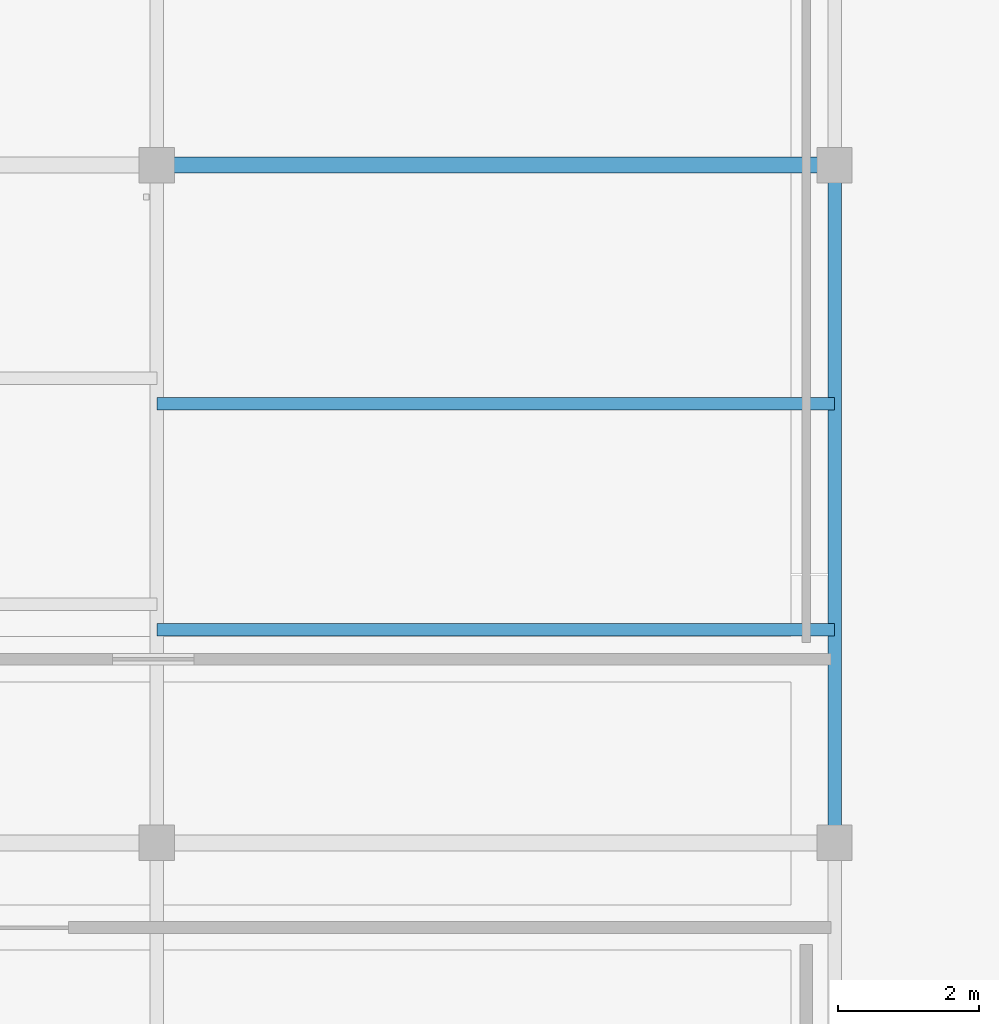
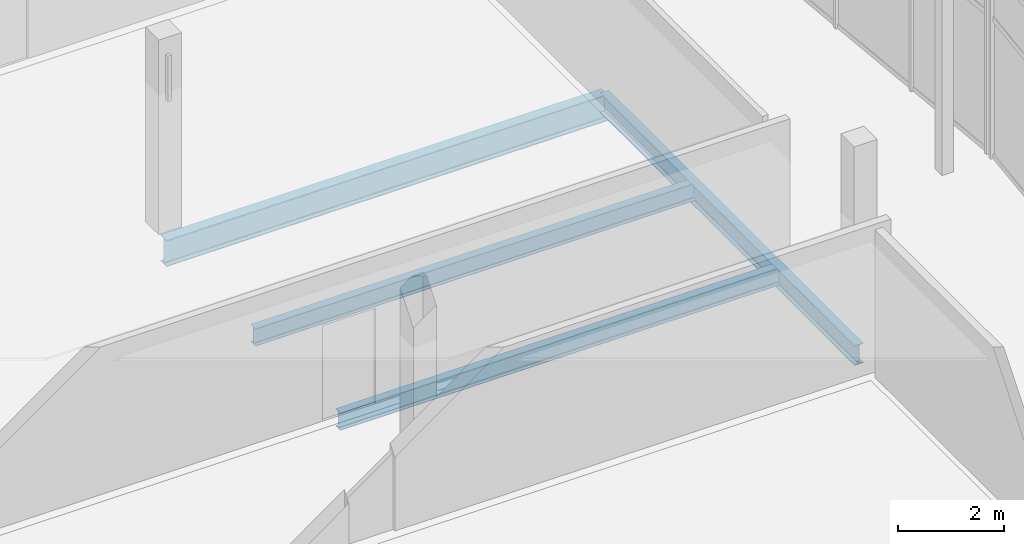
# One storey, part 66 of 114: 4 beams.
"""IFC4 building model written with IfcOpenShell, lengths in metres."""

from ifc_helpers import new_model, si_unit, direction, frame, origin, origin_2d, place, context, subcontext, project, spatial, i_section, extrude, material, material_profile, profile_set, type_object, element, save


model = new_model("IFC4")

# Units and contexts
model_context = context("Model", 3, precision=1e-05, world=origin(), true_north=direction((0.0, 1.0)))
body_context = subcontext(model_context, "Body", "Model", "MODEL_VIEW")
ifc_project = project(units=[si_unit("LENGTHUNIT", "METRE"), si_unit("AREAUNIT", "SQUARE_METRE"), si_unit("VOLUMEUNIT", "CUBIC_METRE"), si_unit("PLANEANGLEUNIT", "RADIAN"), si_unit("MASSUNIT", "GRAM", prefix="KILO")], contexts=[model_context])

# Site, building, storey
site_placement = place(None, origin())
site = spatial("IfcSite", under=ifc_project, at=site_placement, CompositionType="ELEMENT")
building_placement = place(site_placement, origin())
building = spatial("IfcBuilding", under=site, at=building_placement, Name="Chalmorin Arch Market", CompositionType="ELEMENT")
storey_placement = place(building_placement, frame((0.0, 0.0, 9.60009765625)))
storey = spatial("IfcBuildingStorey", under=building, at=storey_placement, Name="L02", CompositionType="ELEMENT", Elevation=9.60009765625)

# Beams
ifc_material = material(Name="Steel A992 Grade 50", Category="steel")
ifc_material_profile_1 = material_profile(ifc_material, i_section(OverallWidth=0.19091796875, OverallDepth=0.45703125, WebThickness=0.009033203125, FlangeThickness=0.014404296875, FilletRadius=0.02001953125, at=origin_2d()), Name="W18X50")
ifc_profile_set_1 = profile_set([ifc_material_profile_1], Name="Steel A992 Grade 50")
beam_type_1 = type_object("IfcBeamType", Name="PerimeterSpandrelBeam-W18X50", PredefinedType="SPANDREL", material=ifc_profile_set_1)
beam_1_placement = place(storey_placement, frame((115.199951171875, 91.199951171875, -0.510498046875), z_axis=(0.0, 1.0, 0.0), x_axis=(-1.0, 0.0, 0.0)))
element("IfcBeam", 1, at=beam_1_placement, inside=storey, type_object=beam_type_1, Name="SP-W18-1296", PredefinedType="SPANDREL", context=body_context, shape_type="SweptSolid", body=[
    extrude(i_section(OverallWidth=0.19091796875, OverallDepth=0.45703125, WebThickness=0.009033203125, FlangeThickness=0.014404296875, FilletRadius=0.02001953125, at=origin_2d()), origin(), (0.0, 0.0, 1.0), 9.60009765625),
])
ifc_material_profile_2 = material_profile(ifc_material, i_section(OverallWidth=0.22802734375, OverallDepth=0.60791015625, WebThickness=0.01123046875, FlangeThickness=0.017333984375, FilletRadius=0.02392578125, at=origin_2d()), Name="W24X76")
ifc_profile_set_2 = profile_set([ifc_material_profile_2], Name="Steel A992 Grade 50")
beam_type_2 = type_object("IfcBeamType", Name="PrimarySteelGirder-W24X76", PredefinedType="BEAM", material=ifc_profile_set_2)
beam_2_placement = place(storey_placement, frame((105.60009765625, 100.800048828125, -0.586181640625), z_axis=(1.0, 0.0, 0.0), x_axis=(0.0, 1.0, 0.0)))
element("IfcBeam", 2, at=beam_2_placement, inside=storey, type_object=beam_type_2, Name="BG-W24B-1295", PredefinedType="BEAM", context=body_context, shape_type="SweptSolid", body=[
    extrude(i_section(OverallWidth=0.22802734375, OverallDepth=0.60791015625, WebThickness=0.01123046875, FlangeThickness=0.017333984375, FilletRadius=0.02392578125, at=origin_2d()), origin(), (0.0, 0.0, 1.0), 9.599853515625),
])
ifc_material_profile_3 = material_profile(ifc_material, i_section(OverallWidth=0.177978515625, OverallDepth=0.403076171875, WebThickness=0.007568359375, FlangeThickness=0.010986328125, FilletRadius=0.01806640625, at=origin_2d()), Name="W16X36")
ifc_profile_set_3 = profile_set([ifc_material_profile_3], Name="Steel A992 Grade 50")
beam_type_3 = type_object("IfcBeamType", Name="SecondaryFloorJoist-W16X36", PredefinedType="JOIST", material=ifc_profile_set_3)
for number, where, z_axis, x_axis, name in (
    (3, (105.60009765625, 94.219970703125, -0.483642578125), (1.0, 0.0, 0.0), (0.0, 1.0, 0.0), "BJ-W16B-1357"),
    (4, (105.60009765625, 97.419921875, -0.483642578125), (1.0, 0.0, 0.0), (0.0, 1.0, 0.0), "BJ-W16B-1358"),
):
    element("IfcBeam", number, at=place(storey_placement, frame(where, z_axis=z_axis, x_axis=x_axis)), inside=storey, type_object=beam_type_3, Name=name, PredefinedType="JOIST", context=body_context, shape_type="SweptSolid", body=[
        extrude(i_section(OverallWidth=0.177978515625, OverallDepth=0.403076171875, WebThickness=0.007568359375, FlangeThickness=0.010986328125, FilletRadius=0.01806640625, at=origin_2d()), origin(), (0.0, 0.0, 1.0), 9.599853515625),
    ])

save(model, "model.ifc")
